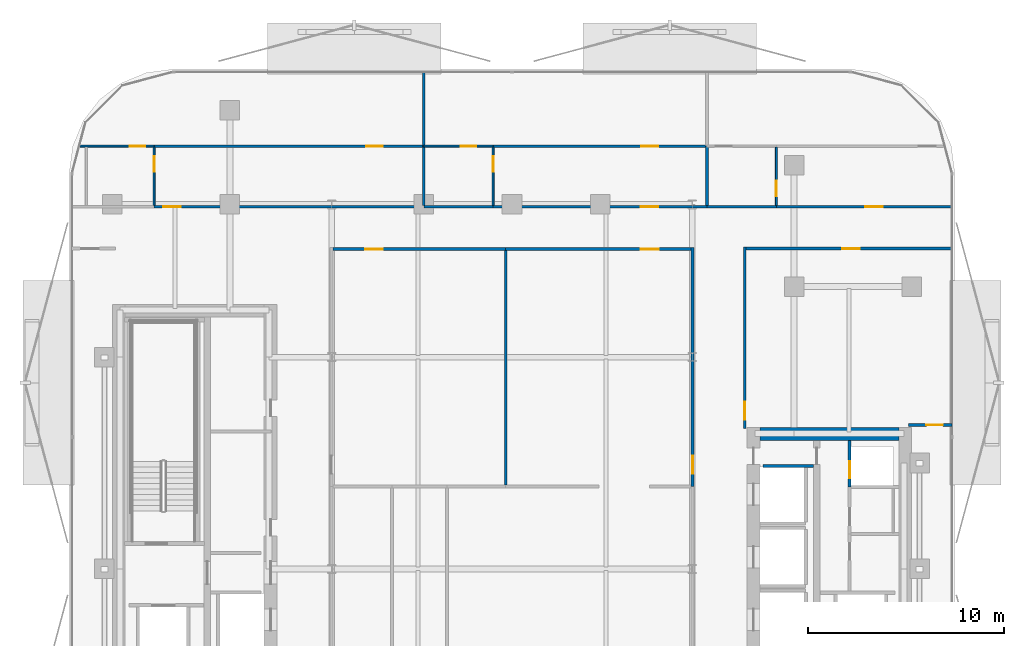
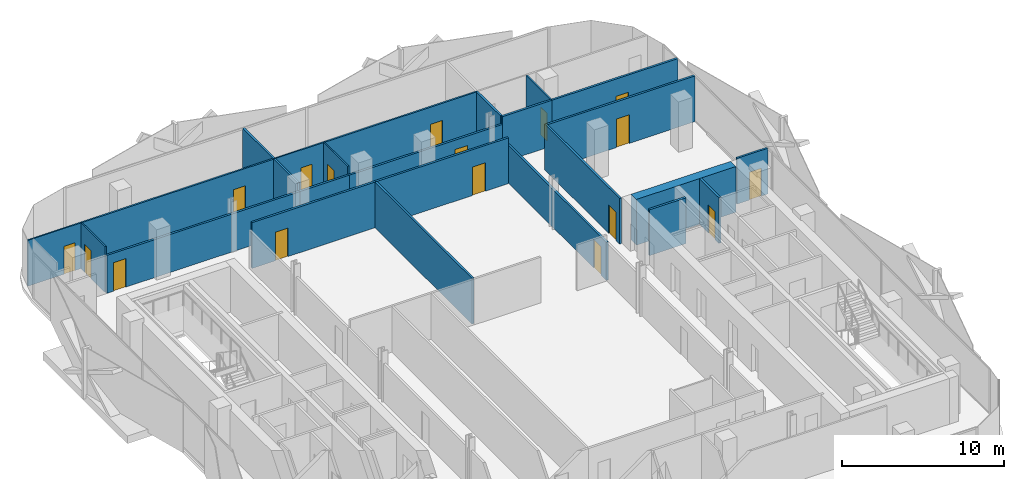
# One storey, part 6 of 17: 25 walls, 17 doors, 17 openings.
"""IFC4 building model written with IfcOpenShell, lengths in metres."""

from ifc_helpers import new_model, si_unit, direction, frame, frame_2d, origin, place, context, subcontext, project, spatial, rectangle, extrude, material, layer, layer_set, type_object, element, fill, save


model = new_model("IFC4")

# Units and contexts
model_context = context("Model", 3, precision=1e-05, world=origin(), true_north=direction((0.0, 1.0)))
body_context = subcontext(model_context, "Body", "Model", "MODEL_VIEW")
ifc_project = project(units=[si_unit("LENGTHUNIT", "METRE"), si_unit("AREAUNIT", "SQUARE_METRE"), si_unit("VOLUMEUNIT", "CUBIC_METRE"), si_unit("PLANEANGLEUNIT", "RADIAN"), si_unit("MASSUNIT", "GRAM", prefix="KILO")], contexts=[model_context])

# Site, building, storey
site_placement = place(None, origin())
site = spatial("IfcSite", under=ifc_project, at=site_placement, CompositionType="ELEMENT")
building_placement = place(site_placement, origin())
building = spatial("IfcBuilding", under=site, at=building_placement, Name="Khairoan Windgate Tower", CompositionType="ELEMENT")
storey_placement = place(building_placement, frame((0.0, 0.0, 210.60009765625)))
storey = spatial("IfcBuildingStorey", under=building, at=storey_placement, Name="L49", CompositionType="ELEMENT", Elevation=210.60009765625)

# Wall, opening, door
ifc_material_1 = material(Name="Moisture-Resistant Gypsum Partition", Category="gypsum")
ifc_layer_1 = layer(ifc_material_1, 0.10009765625, Name="Moisture-Resistant Gypsum Partition")
ifc_layer_set_1 = layer_set([ifc_layer_1], Name="Moisture-Resistant Gypsum Partition")
wall_type_1 = type_object("IfcWallType", Name="Bathroom Wet-Area Partition Wall", PredefinedType="PARTITIONING", material=ifc_layer_set_1)
wall_1_placement = place(storey_placement, frame((-18.260009765625, 18.554931640625, 0.0), z_axis=(0.0, 0.0, 1.0), x_axis=(0.0, 1.0, 0.0)))
wall_1 = element("IfcWall", 1, at=wall_1_placement, inside=storey, type_object=wall_type_1, Name="L49 Interior Partition 047", PredefinedType="PARTITIONING", context=body_context, shape_type="SweptSolid", body=[
    extrude(rectangle(XDim=2.965087890625, YDim=0.10009765625, at=frame_2d((1.482421875, 0.0))), origin(), (0.0, 0.0, 1.0), 3.449951171875),
])
opening_1_placement = place(wall_1_placement, frame((1.705078125, 0.0, 0.0)))
opening_1 = element("IfcOpeningElement", 2, at=opening_1_placement, cuts=wall_1, Name="Opening ID-BTH", PredefinedType="OPENING", context=body_context, shape_type="SweptSolid", body=[
    extrude(rectangle(XDim=0.800048828125, YDim=2.10009765625, at=frame_2d((0.39990234375, 1.050048828125))), frame((0.0, 0.06005859375, 0.0), z_axis=(0.0, -1.0, 0.0), x_axis=(1.0, 0.0, 0.0)), (0.0, 0.0, 1.0), 0.1201171875),
])
ifc_material_2 = material(Name="Teak Veneer Timber Leaf", Category="wood")
door_type_1 = type_object("IfcDoorType", Name="Internal Bathroom Door ID-BTH 800x2100", OperationType="NOTDEFINED", PredefinedType="DOOR", material=ifc_material_2)
door_1_placement = place(opening_1_placement, origin())
door_1 = element("IfcDoor", 3, at=door_1_placement, inside=storey, type_object=door_type_1, Name="L49 L49-39-L49-40 Door", OperationType="SINGLE_SWING_RIGHT", OverallHeight=2.10009765625, OverallWidth=0.800048828125, PredefinedType="DOOR", context=body_context, shape_type="SweptSolid", body=[
    extrude(rectangle(XDim=0.800048828125, YDim=2.10009765625, at=frame_2d((0.39990234375, 1.050048828125))), frame((0.0, 0.02490234375, 0.0), z_axis=(0.0, -1.0, 0.0), x_axis=(1.0, 0.0, 0.0)), (0.0, 0.0, 1.0), 0.050048828125),
])
fill(opening_1, door_1)

wall_2_placement = place(storey_placement, frame((-22.086181640625, 21.570068359375, 0.0), z_axis=(0.0, 0.0, 1.0), x_axis=(1.0, 0.0, 0.0)))
wall_2 = element("IfcWall", 4, at=wall_2_placement, inside=storey, type_object=wall_type_1, Name="L49 Interior Partition 048", PredefinedType="PARTITIONING", context=body_context, shape_type="SweptSolid", body=[
    extrude(rectangle(XDim=3.826171875, YDim=0.10009765625, at=frame_2d((1.9130859375, 0.0))), origin(), (0.0, 0.0, 1.0), 3.449951171875),
])
opening_2_placement = place(wall_2_placement, frame((2.566162109375, 0.0, 0.0)))
opening_2 = element("IfcOpeningElement", 5, at=opening_2_placement, cuts=wall_2, Name="Opening ID-BTH", PredefinedType="OPENING", context=body_context, shape_type="SweptSolid", body=[
    extrude(rectangle(XDim=0.800048828125, YDim=2.10009765625, at=frame_2d((0.39990234375, 1.050048828125))), frame((0.0, 0.06005859375, 0.0), z_axis=(0.0, -1.0, 0.0), x_axis=(1.0, 0.0, 0.0)), (0.0, 0.0, 1.0), 0.1201171875),
])
door_2_placement = place(opening_2_placement, origin())
door_2 = element("IfcDoor", 6, at=door_2_placement, inside=storey, type_object=door_type_1, Name="L49 L49-39-L49-41 Door", OperationType="SINGLE_SWING_LEFT", OverallHeight=2.10009765625, OverallWidth=0.800048828125, PredefinedType="DOOR", context=body_context, shape_type="SweptSolid", body=[
    extrude(rectangle(XDim=0.800048828125, YDim=2.10009765625, at=frame_2d((0.39990234375, 1.050048828125))), frame((0.0, 0.02490234375, 0.0), z_axis=(0.0, -1.0, 0.0), x_axis=(1.0, 0.0, 0.0)), (0.0, 0.0, 1.0), 0.050048828125),
])
fill(opening_2, door_2)

wall_3_placement = place(storey_placement, frame((-0.9599609375, 18.554931640625, 0.0), z_axis=(0.0, 0.0, 1.0), x_axis=(0.0, 1.0, 0.0)))
wall_3 = element("IfcWall", 7, at=wall_3_placement, inside=storey, type_object=wall_type_1, Name="L49 Interior Partition 052", PredefinedType="PARTITIONING", context=body_context, shape_type="SweptSolid", body=[
    extrude(rectangle(XDim=2.965087890625, YDim=0.10009765625, at=frame_2d((1.482421875, 0.0))), origin(), (0.0, 0.0, 1.0), 3.449951171875),
])
opening_3_placement = place(wall_3_placement, frame((1.705078125, 0.0, 0.0)))
opening_3 = element("IfcOpeningElement", 8, at=opening_3_placement, cuts=wall_3, Name="Opening ID-BTH", PredefinedType="OPENING", context=body_context, shape_type="SweptSolid", body=[
    extrude(rectangle(XDim=0.800048828125, YDim=2.10009765625, at=frame_2d((0.39990234375, 1.050048828125))), frame((0.0, 0.06005859375, 0.0), z_axis=(0.0, -1.0, 0.0), x_axis=(1.0, 0.0, 0.0)), (0.0, 0.0, 1.0), 0.1201171875),
])
door_3_placement = place(opening_3_placement, origin())
door_3 = element("IfcDoor", 9, at=door_3_placement, inside=storey, type_object=door_type_1, Name="L49 L49-42-L49-43 Door", OperationType="SINGLE_SWING_LEFT", OverallHeight=2.10009765625, OverallWidth=0.800048828125, PredefinedType="DOOR", context=body_context, shape_type="SweptSolid", body=[
    extrude(rectangle(XDim=0.800048828125, YDim=2.10009765625, at=frame_2d((0.39990234375, 1.050048828125))), frame((0.0, 0.02490234375, 0.0), z_axis=(0.0, -1.0, 0.0), x_axis=(1.0, 0.0, 0.0)), (0.0, 0.0, 1.0), 0.050048828125),
])
fill(opening_3, door_3)

wall_4_placement = place(storey_placement, frame((-4.5, 21.570068359375, 0.0), z_axis=(0.0, 0.0, 1.0), x_axis=(1.0, 0.0, 0.0)))
wall_4 = element("IfcWall", 10, at=wall_4_placement, inside=storey, type_object=wall_type_1, Name="L49 Interior Partition 053", PredefinedType="PARTITIONING", context=body_context, shape_type="SweptSolid", body=[
    extrude(rectangle(XDim=3.5400390625, YDim=0.10009765625, at=frame_2d((1.77001953125, 0.0))), origin(), (0.0, 0.0, 1.0), 3.449951171875),
])
opening_4_placement = place(wall_4_placement, frame((1.87548828125, 0.0, 0.0)))
opening_4 = element("IfcOpeningElement", 11, at=opening_4_placement, cuts=wall_4, Name="Opening ID-BTH", PredefinedType="OPENING", context=body_context, shape_type="SweptSolid", body=[
    extrude(rectangle(XDim=0.800048828125, YDim=2.10009765625, at=frame_2d((0.39990234375, 1.050048828125))), frame((0.0, 0.06005859375, 0.0), z_axis=(0.0, -1.0, 0.0), x_axis=(1.0, 0.0, 0.0)), (0.0, 0.0, 1.0), 0.1201171875),
])
door_4_placement = place(opening_4_placement, origin())
door_4 = element("IfcDoor", 12, at=door_4_placement, inside=storey, type_object=door_type_1, Name="L49 L49-42-L49-44 Door", OperationType="SINGLE_SWING_RIGHT", OverallHeight=2.10009765625, OverallWidth=0.800048828125, PredefinedType="DOOR", context=body_context, shape_type="SweptSolid", body=[
    extrude(rectangle(XDim=0.800048828125, YDim=2.10009765625, at=frame_2d((0.39990234375, 1.050048828125))), frame((0.0, 0.02490234375, 0.0), z_axis=(0.0, -1.0, 0.0), x_axis=(1.0, 0.0, 0.0)), (0.0, 0.0, 1.0), 0.050048828125),
])
fill(opening_4, door_4)

wall_5_placement = place(storey_placement, frame((13.489990234375, 18.554931640625, 0.0), z_axis=(0.0, 0.0, 1.0), x_axis=(0.0, 1.0, 0.0)))
wall_5 = element("IfcWall", 13, at=wall_5_placement, inside=storey, type_object=wall_type_1, Name="L49 Interior Partition 057", PredefinedType="PARTITIONING", context=body_context, shape_type="SweptSolid", body=[
    extrude(rectangle(XDim=2.965087890625, YDim=0.10009765625, at=frame_2d((1.482421875, 0.0))), origin(), (0.0, 0.0, 1.0), 3.449951171875),
])
opening_5_placement = place(wall_5_placement, frame((0.4599609375, 0.0, 0.0)))
opening_5 = element("IfcOpeningElement", 14, at=opening_5_placement, cuts=wall_5, Name="Opening ID-BTH", PredefinedType="OPENING", context=body_context, shape_type="SweptSolid", body=[
    extrude(rectangle(XDim=0.800048828125, YDim=2.10009765625, at=frame_2d((0.39990234375, 1.050048828125))), frame((0.0, 0.06005859375, 0.0), z_axis=(0.0, -1.0, 0.0), x_axis=(1.0, 0.0, 0.0)), (0.0, 0.0, 1.0), 0.1201171875),
])
door_5_placement = place(opening_5_placement, origin())
door_5 = element("IfcDoor", 15, at=door_5_placement, inside=storey, type_object=door_type_1, Name="L49 L49-45-L49-46 Door", OperationType="SINGLE_SWING_RIGHT", OverallHeight=2.10009765625, OverallWidth=0.800048828125, PredefinedType="DOOR", context=body_context, shape_type="SweptSolid", body=[
    extrude(rectangle(XDim=0.800048828125, YDim=2.10009765625, at=frame_2d((0.39990234375, 1.050048828125))), frame((0.0, 0.02490234375, 0.0), z_axis=(0.0, -1.0, 0.0), x_axis=(1.0, 0.0, 0.0)), (0.0, 0.0, 1.0), 0.050048828125),
])
fill(opening_5, door_5)

# Walls
ifc_material_3 = material(Name="Concrete C40/50", Category="concrete")
ifc_layer_2 = layer(ifc_material_3, 0.159912109375, Name="Concrete C40/50")
ifc_layer_set_2 = layer_set([ifc_layer_2], Name="Concrete C40/50")
wall_type_2 = type_object("IfcWallType", Name="Core and Hoistway Enclosure Wall", PredefinedType="STANDARD", material=ifc_layer_set_2)
wall_6_placement = place(storey_placement, frame((12.800048828125, 5.25, 0.0), z_axis=(0.0, 0.0, 1.0), x_axis=(1.0, 0.0, 0.0)))
element("IfcWall", 16, at=wall_6_placement, inside=storey, type_object=wall_type_2, Name="L49 Core Shaft Wall SW-ESV-L49", PredefinedType="STANDARD", context=body_context, shape_type="SweptSolid", body=[
    extrude(rectangle(XDim=2.599853515625, YDim=0.159912109375, at=frame_2d((1.2998046875, 0.0))), origin(), (0.0, 0.0, 1.0), 3.449951171875),
])
ifc_material_4 = material(Name="Acoustic Fire-Rated Gypsum Partition", Category="gypsum")
ifc_layer_3 = layer(ifc_material_4, 0.139892578125, Name="Acoustic Fire-Rated Gypsum Partition")
ifc_layer_set_3 = layer_set([ifc_layer_3], Name="Acoustic Fire-Rated Gypsum Partition")
wall_type_3 = type_object("IfcWallType", Name="Inter-Tenancy Compartment Wall", PredefinedType="PARTITIONING", material=ifc_layer_set_3)
wall_7_placement = place(storey_placement, frame((-0.320068359375, 4.27001953125, 0.0), z_axis=(0.0, 0.0, 1.0), x_axis=(0.0, 1.0, 0.0)))
element("IfcWall", 17, at=wall_7_placement, inside=storey, type_object=wall_type_3, Name="L49 Interior Partition 046", PredefinedType="PARTITIONING", context=body_context, shape_type="SweptSolid", body=[
    extrude(rectangle(XDim=11.97509765625, YDim=0.139892578125, at=frame_2d((5.987548828125, 0.0))), origin(), (0.0, 0.0, 1.0), 3.449951171875),
])
wall_8_placement = place(storey_placement, frame((-4.5, 18.554931640625, 0.0), z_axis=(0.0, 0.0, 1.0), x_axis=(0.0, 1.0, 0.0)))
element("IfcWall", 18, at=wall_8_placement, inside=storey, type_object=wall_type_3, Name="L49 Interior Partition 050", PredefinedType="PARTITIONING", context=body_context, shape_type="SweptSolid", body=[
    extrude(rectangle(XDim=3.01513671875, YDim=0.139892578125, at=frame_2d((1.507568359375, 0.0))), origin(), (0.0, 0.0, 1.0), 3.449951171875),
])
wall_9_placement = place(storey_placement, frame((-4.5, 21.570068359375, 0.0), z_axis=(0.0, 0.0, 1.0), x_axis=(0.0, 1.0, 0.0)))
element("IfcWall", 19, at=wall_9_placement, inside=storey, type_object=wall_type_3, Name="L49 Interior Partition 051", PredefinedType="PARTITIONING", context=body_context, shape_type="SweptSolid", body=[
    extrude(rectangle(XDim=3.784912109375, YDim=0.139892578125, at=frame_2d((1.892578125, 0.0))), origin(), (0.0, 0.0, 1.0), 3.449951171875),
])
wall_10_placement = place(storey_placement, frame((9.949951171875, 18.554931640625, 0.0), z_axis=(0.0, 0.0, 1.0), x_axis=(0.0, 1.0, 0.0)))
element("IfcWall", 20, at=wall_10_placement, inside=storey, type_object=wall_type_3, Name="L49 Interior Partition 055", PredefinedType="PARTITIONING", context=body_context, shape_type="SweptSolid", body=[
    extrude(rectangle(XDim=3.01513671875, YDim=0.139892578125, at=frame_2d((1.507568359375, 0.0))), origin(), (0.0, 0.0, 1.0), 3.449951171875),
])

# Wall, opening, door
wall_11_placement = place(storey_placement, frame((20.239990234375, 7.340087890625, 0.0), z_axis=(0.0, 0.0, 1.0), x_axis=(1.0, 0.0, 0.0)))
wall_11 = element("IfcWall", 21, at=wall_11_placement, inside=storey, type_object=wall_type_3, Name="L49 Interior Partition 068", PredefinedType="PARTITIONING", context=body_context, shape_type="SweptSolid", body=[
    extrude(rectangle(XDim=2.215087890625, YDim=0.139892578125, at=frame_2d((1.107421875, 0.0))), origin(), (0.0, 0.0, 1.0), 3.449951171875),
])
opening_6_placement = place(wall_11_placement, frame((0.905029296875, 0.0, 0.0)))
opening_6 = element("IfcOpeningElement", 22, at=opening_6_placement, cuts=wall_11, Name="Opening FD-SRV", PredefinedType="OPENING", context=body_context, shape_type="SweptSolid", body=[
    extrude(rectangle(XDim=0.85009765625, YDim=2.10009765625, at=frame_2d((0.425048828125, 1.050048828125))), frame((0.0, 0.079833984375, 0.0), z_axis=(0.0, -1.0, 0.0), x_axis=(1.0, 0.0, 0.0)), (0.0, 0.0, 1.0), 0.159912109375),
])
ifc_material_5 = material(Name="Steel S355", Category="steel")
door_type_2 = type_object("IfcDoorType", Name="Core Service and Riser Fire Door FD-SRV 850x2100", OperationType="NOTDEFINED", PredefinedType="DOOR", material=ifc_material_5)
door_6_placement = place(opening_6_placement, origin())
door_6 = element("IfcDoor", 23, at=door_6_placement, inside=storey, type_object=door_type_2, Name="L49 L49-54-L49-56 Door", OperationType="SINGLE_SWING_LEFT", OverallHeight=2.10009765625, OverallWidth=0.85009765625, PredefinedType="DOOR", context=body_context, shape_type="SweptSolid", body=[
    extrude(rectangle(XDim=0.85009765625, YDim=2.10009765625, at=frame_2d((0.425048828125, 1.050048828125))), frame((0.0, 0.02490234375, 0.0), z_axis=(0.0, -1.0, 0.0), x_axis=(1.0, 0.0, 0.0)), (0.0, 0.0, 1.0), 0.050048828125),
])
fill(opening_6, door_6)

ifc_material_6 = material(Name="Gypsum Stud Partition", Category="gypsum")
ifc_layer_4 = layer(ifc_material_6, 0.1201171875, Name="Gypsum Stud Partition")
ifc_layer_set_4 = layer_set([ifc_layer_4], Name="Gypsum Stud Partition")
wall_type_4 = type_object("IfcWallType", Name="Internal Room Partition Wall", PredefinedType="PARTITIONING", material=ifc_layer_set_4)
wall_12_placement = place(storey_placement, frame((-18.260009765625, 21.570068359375, 0.0), z_axis=(0.0, 0.0, 1.0), x_axis=(1.0, 0.0, 0.0)))
wall_12 = element("IfcWall", 24, at=wall_12_placement, inside=storey, type_object=wall_type_4, Name="L49 Interior Partition 049", PredefinedType="PARTITIONING", context=body_context, shape_type="SweptSolid", body=[
    extrude(rectangle(XDim=13.760009765625, YDim=0.1201171875, at=frame_2d((6.8798828125, 0.0))), origin(), (0.0, 0.0, 1.0), 3.449951171875),
])
opening_7_placement = place(wall_12_placement, frame((10.815673828125, 0.0, 0.0)))
opening_7 = element("IfcOpeningElement", 25, at=opening_7_placement, cuts=wall_12, Name="Opening ID-RM", PredefinedType="OPENING", context=body_context, shape_type="SweptSolid", body=[
    extrude(rectangle(XDim=0.860107421875, YDim=2.14990234375, at=frame_2d((0.43017578125, 1.074951171875))), frame((0.0, 0.070068359375, 0.0), z_axis=(0.0, -1.0, 0.0), x_axis=(1.0, 0.0, 0.0)), (0.0, 0.0, 1.0), 0.14013671875),
])
ifc_material_7 = material(Name="Teak Veneer Timber Leaf", Category="wood")
door_type_3 = type_object("IfcDoorType", Name="Internal Bedroom and Office Door ID-RM 860x2150", OperationType="NOTDEFINED", PredefinedType="DOOR", material=ifc_material_7)
door_7_placement = place(opening_7_placement, origin())
door_7 = element("IfcDoor", 26, at=door_7_placement, inside=storey, type_object=door_type_3, Name="L49 L49-40-L49-41 Door", OperationType="SINGLE_SWING_RIGHT", OverallHeight=2.14990234375, OverallWidth=0.860107421875, PredefinedType="DOOR", context=body_context, shape_type="SweptSolid", body=[
    extrude(rectangle(XDim=0.860107421875, YDim=2.14990234375, at=frame_2d((0.43017578125, 1.074951171875))), frame((0.0, 0.02490234375, 0.0), z_axis=(0.0, -1.0, 0.0), x_axis=(1.0, 0.0, 0.0)), (0.0, 0.0, 1.0), 0.050048828125),
])
fill(opening_7, door_7)

wall_13_placement = place(storey_placement, frame((-0.9599609375, 21.570068359375, 0.0), z_axis=(0.0, 0.0, 1.0), x_axis=(1.0, 0.0, 0.0)))
wall_13 = element("IfcWall", 27, at=wall_13_placement, inside=storey, type_object=wall_type_4, Name="L49 Interior Partition 054", PredefinedType="PARTITIONING", context=body_context, shape_type="SweptSolid", body=[
    extrude(rectangle(XDim=10.909912109375, YDim=0.1201171875, at=frame_2d((5.455078125, 0.0))), origin(), (0.0, 0.0, 1.0), 3.449951171875),
])
opening_8_placement = place(wall_13_placement, frame((7.56103515625, 0.0, 0.0)))
opening_8 = element("IfcOpeningElement", 28, at=opening_8_placement, cuts=wall_13, Name="Opening ID-RM", PredefinedType="OPENING", context=body_context, shape_type="SweptSolid", body=[
    extrude(rectangle(XDim=0.860107421875, YDim=2.14990234375, at=frame_2d((0.43017578125, 1.074951171875))), frame((0.0, 0.070068359375, 0.0), z_axis=(0.0, -1.0, 0.0), x_axis=(1.0, 0.0, 0.0)), (0.0, 0.0, 1.0), 0.14013671875),
])
door_8_placement = place(opening_8_placement, origin())
door_8 = element("IfcDoor", 29, at=door_8_placement, inside=storey, type_object=door_type_3, Name="L49 L49-43-L49-44 Door", OperationType="SINGLE_SWING_LEFT", OverallHeight=2.14990234375, OverallWidth=0.860107421875, PredefinedType="DOOR", context=body_context, shape_type="SweptSolid", body=[
    extrude(rectangle(XDim=0.860107421875, YDim=2.14990234375, at=frame_2d((0.43017578125, 1.074951171875))), frame((0.0, 0.02490234375, 0.0), z_axis=(0.0, -1.0, 0.0), x_axis=(1.0, 0.0, 0.0)), (0.0, 0.0, 1.0), 0.050048828125),
])
fill(opening_8, door_8)

ifc_material_8 = material(Name="Concrete C40/50", Category="concrete")
ifc_layer_5 = layer(ifc_material_8, 0.159912109375, Name="Concrete C40/50")
ifc_layer_set_5 = layer_set([ifc_layer_5], Name="Concrete C40/50")
wall_type_5 = type_object("IfcWallType", Name="Plant and Refuge Compartment Wall", PredefinedType="PARTITIONING", material=ifc_layer_set_5)
wall_14_placement = place(storey_placement, frame((17.22998046875, 4.169921875, 0.0), z_axis=(0.0, 0.0, 1.0), x_axis=(0.0, 1.0, 0.0)))
wall_14 = element("IfcWall", 30, at=wall_14_placement, inside=storey, type_object=wall_type_5, Name="L49 Interior Partition 007", PredefinedType="PARTITIONING", context=body_context, shape_type="SweptSolid", body=[
    extrude(rectangle(XDim=2.380126953125, YDim=0.159912109375, at=frame_2d((1.18994140625, 0.0))), origin(), (0.0, 0.0, 1.0), 3.449951171875),
])
opening_9_placement = place(wall_14_placement, frame((0.4599609375, 0.0, 0.0)))
opening_9 = element("IfcOpeningElement", 31, at=opening_9_placement, cuts=wall_14, Name="Opening FD-SRV", PredefinedType="OPENING", context=body_context, shape_type="SweptSolid", body=[
    extrude(rectangle(XDim=0.85009765625, YDim=2.10009765625, at=frame_2d((0.425048828125, 1.050048828125))), frame((0.0, 0.08984375, 0.0), z_axis=(0.0, -1.0, 0.0), x_axis=(1.0, 0.0, 0.0)), (0.0, 0.0, 1.0), 0.179931640625),
])
door_9_placement = place(opening_9_placement, origin())
door_9 = element("IfcDoor", 32, at=door_9_placement, inside=storey, type_object=door_type_2, Name="L49 L49-18-L49-19 Door", OperationType="SINGLE_SWING_LEFT", OverallHeight=2.10009765625, OverallWidth=0.85009765625, PredefinedType="DOOR", context=body_context, shape_type="SweptSolid", body=[
    extrude(rectangle(XDim=0.85009765625, YDim=2.10009765625, at=frame_2d((0.425048828125, 1.050048828125))), frame((0.0, 0.02490234375, 0.0), z_axis=(0.0, -1.0, 0.0), x_axis=(1.0, 0.0, 0.0)), (0.0, 0.0, 1.0), 0.050048828125),
])
fill(opening_9, door_9)

ifc_material_9 = material(Name="Acoustic Fire-Rated Gypsum Partition", Category="gypsum")
ifc_layer_6 = layer(ifc_material_9, 0.14990234375, Name="Acoustic Fire-Rated Gypsum Partition")
ifc_layer_set_6 = layer_set([ifc_layer_6], Name="Acoustic Fire-Rated Gypsum Partition")
wall_type_6 = type_object("IfcWallType", Name="Rated Corridor Partition Wall", PredefinedType="PARTITIONING", material=ifc_layer_set_6)
wall_15_placement = place(storey_placement, frame((9.219970703125, 4.199951171875, 0.0), z_axis=(0.0, 0.0, 1.0), x_axis=(0.0, 1.0, 0.0)))
wall_15 = element("IfcWall", 33, at=wall_15_placement, inside=storey, type_object=wall_type_6, Name="L49 Interior Partition 015", PredefinedType="PARTITIONING", context=body_context, shape_type="SweptSolid", body=[
    extrude(rectangle(XDim=12.195068359375, YDim=0.14990234375, at=frame_2d((6.09765625, 0.0))), origin(), (0.0, 0.0, 1.0), 2.86181640625),
])
opening_10_placement = place(wall_15_placement, frame((0.663330078125, 0.0, 0.0)))
opening_10 = element("IfcOpeningElement", 34, at=opening_10_placement, cuts=wall_15, Name="Opening FD-ENT", PredefinedType="OPENING", context=body_context, shape_type="SweptSolid", body=[
    extrude(rectangle(XDim=0.89990234375, YDim=2.14990234375, at=frame_2d((0.449951171875, 1.074951171875))), frame((0.0, 0.0849609375, 0.0), z_axis=(0.0, -1.0, 0.0), x_axis=(1.0, 0.0, 0.0)), (0.0, 0.0, 1.0), 0.169921875),
])
ifc_material_10 = material(Name="Timber Fire-Rated Core", Category="wood")
door_type_4 = type_object("IfcDoorType", Name="Unit and Office Fire Entrance Door FD-ENT 900x2150", OperationType="NOTDEFINED", PredefinedType="DOOR", material=ifc_material_10)
door_10_placement = place(opening_10_placement, origin())
door_10 = element("IfcDoor", 35, at=door_10_placement, inside=storey, type_object=door_type_4, Name="L49 L49-29-L49-38 Door", OperationType="SINGLE_SWING_LEFT", OverallHeight=2.14990234375, OverallWidth=0.89990234375, PredefinedType="DOOR", context=body_context, shape_type="SweptSolid", body=[
    extrude(rectangle(XDim=0.89990234375, YDim=2.14990234375, at=frame_2d((0.449951171875, 1.074951171875))), frame((0.0, 0.02490234375, 0.0), z_axis=(0.0, -1.0, 0.0), x_axis=(1.0, 0.0, 0.0)), (0.0, 0.0, 1.0), 0.050048828125),
])
fill(opening_10, door_10)

wall_16_placement = place(storey_placement, frame((11.8798828125, 7.159912109375, 0.0), z_axis=(0.0, 0.0, 1.0), x_axis=(0.0, 1.0, 0.0)))
wall_16 = element("IfcWall", 36, at=wall_16_placement, inside=storey, type_object=wall_type_6, Name="L49 Interior Partition 016", PredefinedType="PARTITIONING", context=body_context, shape_type="SweptSolid", body=[
    extrude(rectangle(XDim=9.255126953125, YDim=0.14990234375, at=frame_2d((4.62744140625, 0.0))), origin(), (0.0, 0.0, 1.0), 3.449951171875),
])
opening_11_placement = place(wall_16_placement, frame((0.4599609375, 0.0, 0.0)))
opening_11 = element("IfcOpeningElement", 37, at=opening_11_placement, cuts=wall_16, Name="Opening FD-ENT", PredefinedType="OPENING", context=body_context, shape_type="SweptSolid", body=[
    extrude(rectangle(XDim=0.89990234375, YDim=2.14990234375, at=frame_2d((0.449951171875, 1.074951171875))), frame((0.0, 0.0849609375, 0.0), z_axis=(0.0, -1.0, 0.0), x_axis=(1.0, 0.0, 0.0)), (0.0, 0.0, 1.0), 0.169921875),
])
door_11_placement = place(opening_11_placement, origin())
door_11 = element("IfcDoor", 38, at=door_11_placement, inside=storey, type_object=door_type_4, Name="L49 L49-29-L49-54 Door", OperationType="SINGLE_SWING_RIGHT", OverallHeight=2.14990234375, OverallWidth=0.89990234375, PredefinedType="DOOR", context=body_context, shape_type="SweptSolid", body=[
    extrude(rectangle(XDim=0.89990234375, YDim=2.14990234375, at=frame_2d((0.449951171875, 1.074951171875))), frame((0.0, 0.02490234375, 0.0), z_axis=(0.0, -1.0, 0.0), x_axis=(1.0, 0.0, 0.0)), (0.0, 0.0, 1.0), 0.050048828125),
])
fill(opening_11, door_11)

wall_17_placement = place(storey_placement, frame((-9.14501953125, 16.320068359375, 0.0), z_axis=(0.0, 0.0, 1.0), x_axis=(1.0, 0.0, 0.0)))
wall_17 = element("IfcWall", 39, at=wall_17_placement, inside=storey, type_object=wall_type_6, Name="L49 Interior Partition 017", PredefinedType="PARTITIONING", context=body_context, shape_type="SweptSolid", body=[
    extrude(rectangle(XDim=8.824951171875, YDim=0.14990234375, at=frame_2d((4.41259765625, 0.0))), origin(), (0.0, 0.0, 1.0), 3.449951171875),
])
opening_12_placement = place(wall_17_placement, frame((1.660888671875, 0.0, 0.0)))
opening_12 = element("IfcOpeningElement", 40, at=opening_12_placement, cuts=wall_17, Name="Opening FD-ENT", PredefinedType="OPENING", context=body_context, shape_type="SweptSolid", body=[
    extrude(rectangle(XDim=0.89990234375, YDim=2.14990234375, at=frame_2d((0.449951171875, 1.074951171875))), frame((0.0, 0.0849609375, 0.0), z_axis=(0.0, -1.0, 0.0), x_axis=(1.0, 0.0, 0.0)), (0.0, 0.0, 1.0), 0.169921875),
])
door_12_placement = place(opening_12_placement, origin())
door_12 = element("IfcDoor", 41, at=door_12_placement, inside=storey, type_object=door_type_4, Name="L49 L49-30-L49-37 Door", OperationType="SINGLE_SWING_LEFT", OverallHeight=2.14990234375, OverallWidth=0.89990234375, PredefinedType="DOOR", context=body_context, shape_type="SweptSolid", body=[
    extrude(rectangle(XDim=0.89990234375, YDim=2.14990234375, at=frame_2d((0.449951171875, 1.074951171875))), frame((0.0, 0.02490234375, 0.0), z_axis=(0.0, -1.0, 0.0), x_axis=(1.0, 0.0, 0.0)), (0.0, 0.0, 1.0), 0.050048828125),
])
fill(opening_12, door_12)

wall_18_placement = place(storey_placement, frame((-0.320068359375, 16.320068359375, 0.0), z_axis=(0.0, 0.0, 1.0), x_axis=(1.0, 0.0, 0.0)))
wall_18 = element("IfcWall", 42, at=wall_18_placement, inside=storey, type_object=wall_type_6, Name="L49 Interior Partition 018", PredefinedType="PARTITIONING", context=body_context, shape_type="SweptSolid", body=[
    extrude(rectangle(XDim=9.465087890625, YDim=0.14990234375, at=frame_2d((4.732421875, 0.0))), origin(), (0.0, 0.0, 1.0), 3.449951171875),
])
opening_13_placement = place(wall_18_placement, frame((6.89794921875, 0.0, 0.0)))
opening_13 = element("IfcOpeningElement", 43, at=opening_13_placement, cuts=wall_18, Name="Opening FD-ENT", PredefinedType="OPENING", context=body_context, shape_type="SweptSolid", body=[
    extrude(rectangle(XDim=0.89990234375, YDim=2.14990234375, at=frame_2d((0.449951171875, 1.074951171875))), frame((0.0, 0.0849609375, 0.0), z_axis=(0.0, -1.0, 0.0), x_axis=(1.0, 0.0, 0.0)), (0.0, 0.0, 1.0), 0.169921875),
])
door_13_placement = place(opening_13_placement, origin())
door_13 = element("IfcDoor", 44, at=door_13_placement, inside=storey, type_object=door_type_4, Name="L49 L49-30-L49-38 Door", OperationType="SINGLE_SWING_RIGHT", OverallHeight=2.14990234375, OverallWidth=0.89990234375, PredefinedType="DOOR", context=body_context, shape_type="SweptSolid", body=[
    extrude(rectangle(XDim=0.89990234375, YDim=2.14990234375, at=frame_2d((0.449951171875, 1.074951171875))), frame((0.0, 0.02490234375, 0.0), z_axis=(0.0, -1.0, 0.0), x_axis=(1.0, 0.0, 0.0)), (0.0, 0.0, 1.0), 0.050048828125),
])
fill(opening_13, door_13)

wall_19_placement = place(storey_placement, frame((-18.260009765625, 18.47998046875, 0.0), z_axis=(0.0, 0.0, 1.0), x_axis=(1.0, 0.0, 0.0)))
wall_19 = element("IfcWall", 45, at=wall_19_placement, inside=storey, type_object=wall_type_6, Name="L49 Interior Partition 020", PredefinedType="PARTITIONING", context=body_context, shape_type="SweptSolid", body=[
    extrude(rectangle(XDim=13.760009765625, YDim=0.14990234375, at=frame_2d((6.8798828125, 0.0))), origin(), (0.0, 0.0, 1.0), 2.86181640625),
])
opening_14_placement = place(wall_19_placement, frame((0.4599609375, 0.0, 0.0)))
opening_14 = element("IfcOpeningElement", 46, at=opening_14_placement, cuts=wall_19, Name="Opening FD-ENT", PredefinedType="OPENING", context=body_context, shape_type="SweptSolid", body=[
    extrude(rectangle(XDim=0.89990234375, YDim=2.14990234375, at=frame_2d((0.449951171875, 1.074951171875))), frame((0.0, 0.0849609375, 0.0), z_axis=(0.0, -1.0, 0.0), x_axis=(1.0, 0.0, 0.0)), (0.0, 0.0, 1.0), 0.169921875),
])
door_14_placement = place(opening_14_placement, origin())
door_14 = element("IfcDoor", 47, at=door_14_placement, inside=storey, type_object=door_type_4, Name="L49 L49-30-L49-40 Door", OperationType="SINGLE_SWING_LEFT", OverallHeight=2.14990234375, OverallWidth=0.89990234375, PredefinedType="DOOR", context=body_context, shape_type="SweptSolid", body=[
    extrude(rectangle(XDim=0.89990234375, YDim=2.14990234375, at=frame_2d((0.449951171875, 1.074951171875))), frame((0.0, 0.02490234375, 0.0), z_axis=(0.0, -1.0, 0.0), x_axis=(1.0, 0.0, 0.0)), (0.0, 0.0, 1.0), 0.050048828125),
])
fill(opening_14, door_14)

# Wall
wall_20_placement = place(storey_placement, frame((-4.5, 18.47998046875, 0.0), z_axis=(0.0, 0.0, 1.0), x_axis=(1.0, 0.0, 0.0)))
element("IfcWall", 48, at=wall_20_placement, inside=storey, type_object=wall_type_6, Name="L49 Interior Partition 021", PredefinedType="PARTITIONING", context=body_context, shape_type="SweptSolid", body=[
    extrude(rectangle(XDim=3.5400390625, YDim=0.14990234375, at=frame_2d((1.77001953125, 0.0))), origin(), (0.0, 0.0, 1.0), 2.86181640625),
])

# Wall, opening, door
wall_21_placement = place(storey_placement, frame((-0.9599609375, 18.47998046875, 0.0), z_axis=(0.0, 0.0, 1.0), x_axis=(1.0, 0.0, 0.0)))
wall_21 = element("IfcWall", 49, at=wall_21_placement, inside=storey, type_object=wall_type_6, Name="L49 Interior Partition 022", PredefinedType="PARTITIONING", context=body_context, shape_type="SweptSolid", body=[
    extrude(rectangle(XDim=10.909912109375, YDim=0.14990234375, at=frame_2d((5.455078125, 0.0))), origin(), (0.0, 0.0, 1.0), 2.86181640625),
])
opening_15_placement = place(wall_21_placement, frame((7.530029296875, 0.0, 0.0)))
opening_15 = element("IfcOpeningElement", 50, at=opening_15_placement, cuts=wall_21, Name="Opening FD-ENT", PredefinedType="OPENING", context=body_context, shape_type="SweptSolid", body=[
    extrude(rectangle(XDim=0.89990234375, YDim=2.14990234375, at=frame_2d((0.449951171875, 1.074951171875))), frame((0.0, 0.0849609375, 0.0), z_axis=(0.0, -1.0, 0.0), x_axis=(1.0, 0.0, 0.0)), (0.0, 0.0, 1.0), 0.169921875),
])
door_15_placement = place(opening_15_placement, origin())
door_15 = element("IfcDoor", 51, at=door_15_placement, inside=storey, type_object=door_type_4, Name="L49 L49-30-L49-43 Door", OperationType="SINGLE_SWING_RIGHT", OverallHeight=2.14990234375, OverallWidth=0.89990234375, PredefinedType="DOOR", context=body_context, shape_type="SweptSolid", body=[
    extrude(rectangle(XDim=0.89990234375, YDim=2.14990234375, at=frame_2d((0.449951171875, 1.074951171875))), frame((0.0, 0.02490234375, 0.0), z_axis=(0.0, -1.0, 0.0), x_axis=(1.0, 0.0, 0.0)), (0.0, 0.0, 1.0), 0.050048828125),
])
fill(opening_15, door_15)

# Wall
wall_22_placement = place(storey_placement, frame((9.949951171875, 18.47998046875, 0.0), z_axis=(0.0, 0.0, 1.0), x_axis=(1.0, 0.0, 0.0)))
element("IfcWall", 52, at=wall_22_placement, inside=storey, type_object=wall_type_6, Name="L49 Interior Partition 023", PredefinedType="PARTITIONING", context=body_context, shape_type="SweptSolid", body=[
    extrude(rectangle(XDim=3.5400390625, YDim=0.14990234375, at=frame_2d((1.77001953125, 0.0))), origin(), (0.0, 0.0, 1.0), 3.449951171875),
])

# Wall, opening, door
wall_23_placement = place(storey_placement, frame((13.489990234375, 18.47998046875, 0.0), z_axis=(0.0, 0.0, 1.0), x_axis=(1.0, 0.0, 0.0)))
wall_23 = element("IfcWall", 53, at=wall_23_placement, inside=storey, type_object=wall_type_6, Name="L49 Interior Partition 024", PredefinedType="PARTITIONING", context=body_context, shape_type="SweptSolid", body=[
    extrude(rectangle(XDim=8.965087890625, YDim=0.14990234375, at=frame_2d((4.482421875, 0.0))), origin(), (0.0, 0.0, 1.0), 3.449951171875),
])
opening_16_placement = place(wall_23_placement, frame((4.54296875, 0.0, 0.0)))
opening_16 = element("IfcOpeningElement", 54, at=opening_16_placement, cuts=wall_23, Name="Opening FD-ENT", PredefinedType="OPENING", context=body_context, shape_type="SweptSolid", body=[
    extrude(rectangle(XDim=0.89990234375, YDim=2.14990234375, at=frame_2d((0.449951171875, 1.074951171875))), frame((0.0, 0.0849609375, 0.0), z_axis=(0.0, -1.0, 0.0), x_axis=(1.0, 0.0, 0.0)), (0.0, 0.0, 1.0), 0.169921875),
])
door_16_placement = place(opening_16_placement, origin())
door_16 = element("IfcDoor", 55, at=door_16_placement, inside=storey, type_object=door_type_4, Name="L49 L49-30-L49-46 Door", OperationType="SINGLE_SWING_LEFT", OverallHeight=2.14990234375, OverallWidth=0.89990234375, PredefinedType="DOOR", context=body_context, shape_type="SweptSolid", body=[
    extrude(rectangle(XDim=0.89990234375, YDim=2.14990234375, at=frame_2d((0.449951171875, 1.074951171875))), frame((0.0, 0.02490234375, 0.0), z_axis=(0.0, -1.0, 0.0), x_axis=(1.0, 0.0, 0.0)), (0.0, 0.0, 1.0), 0.050048828125),
])
fill(opening_16, door_16)

wall_24_placement = place(storey_placement, frame((11.955078125, 16.340087890625, 0.0), z_axis=(0.0, 0.0, 1.0), x_axis=(1.0, 0.0, 0.0)))
wall_24 = element("IfcWall", 56, at=wall_24_placement, inside=storey, type_object=wall_type_6, Name="L49 Interior Partition 025", PredefinedType="PARTITIONING", context=body_context, shape_type="SweptSolid", body=[
    extrude(rectangle(XDim=10.5, YDim=0.14990234375, at=frame_2d((5.25, 0.0))), origin(), (0.0, 0.0, 1.0), 3.449951171875),
])
opening_17_placement = place(wall_24_placement, frame((4.90087890625, 0.0, 0.0)))
opening_17 = element("IfcOpeningElement", 57, at=opening_17_placement, cuts=wall_24, Name="Opening FD-ENT", PredefinedType="OPENING", context=body_context, shape_type="SweptSolid", body=[
    extrude(rectangle(XDim=0.89990234375, YDim=2.14990234375, at=frame_2d((0.449951171875, 1.074951171875))), frame((0.0, 0.0849609375, 0.0), z_axis=(0.0, -1.0, 0.0), x_axis=(1.0, 0.0, 0.0)), (0.0, 0.0, 1.0), 0.169921875),
])
door_17_placement = place(opening_17_placement, origin())
door_17 = element("IfcDoor", 58, at=door_17_placement, inside=storey, type_object=door_type_4, Name="L49 L49-30-L49-54 Door", OperationType="SINGLE_SWING_RIGHT", OverallHeight=2.14990234375, OverallWidth=0.89990234375, PredefinedType="DOOR", context=body_context, shape_type="SweptSolid", body=[
    extrude(rectangle(XDim=0.89990234375, YDim=2.14990234375, at=frame_2d((0.449951171875, 1.074951171875))), frame((0.0, 0.02490234375, 0.0), z_axis=(0.0, -1.0, 0.0), x_axis=(1.0, 0.0, 0.0)), (0.0, 0.0, 1.0), 0.050048828125),
])
fill(opening_17, door_17)

# Wall
ifc_material_11 = material(Name="Concrete C60/75", Category="concrete")
ifc_layer_7 = layer(ifc_material_11, 0.64990234375, Name="Concrete C60/75")
ifc_layer_set_7 = layer_set([ifc_layer_7], Name="Concrete C60/75")
wall_type_7 = type_object("IfcWallType", Name="Shear Wall CW-E2 650mm", PredefinedType="SHEAR", material=ifc_layer_set_7)
wall_25_placement = place(storey_placement, frame((12.64990234375, 6.875, 0.0), z_axis=(0.0, 0.0, 1.0), x_axis=(1.0, 0.0, 0.0)))
element("IfcWall", 59, at=wall_25_placement, inside=storey, type_object=wall_type_7, Name="E Core North Shear Wall L49", PredefinedType="SHEAR", context=body_context, shape_type="SweptSolid", body=[
    extrude(rectangle(XDim=7.10009765625, YDim=0.64990234375, at=frame_2d((3.550048828125, 0.0))), origin(), (0.0, 0.0, 1.0), 3.449951171875),
])

save(model, "model.ifc")
